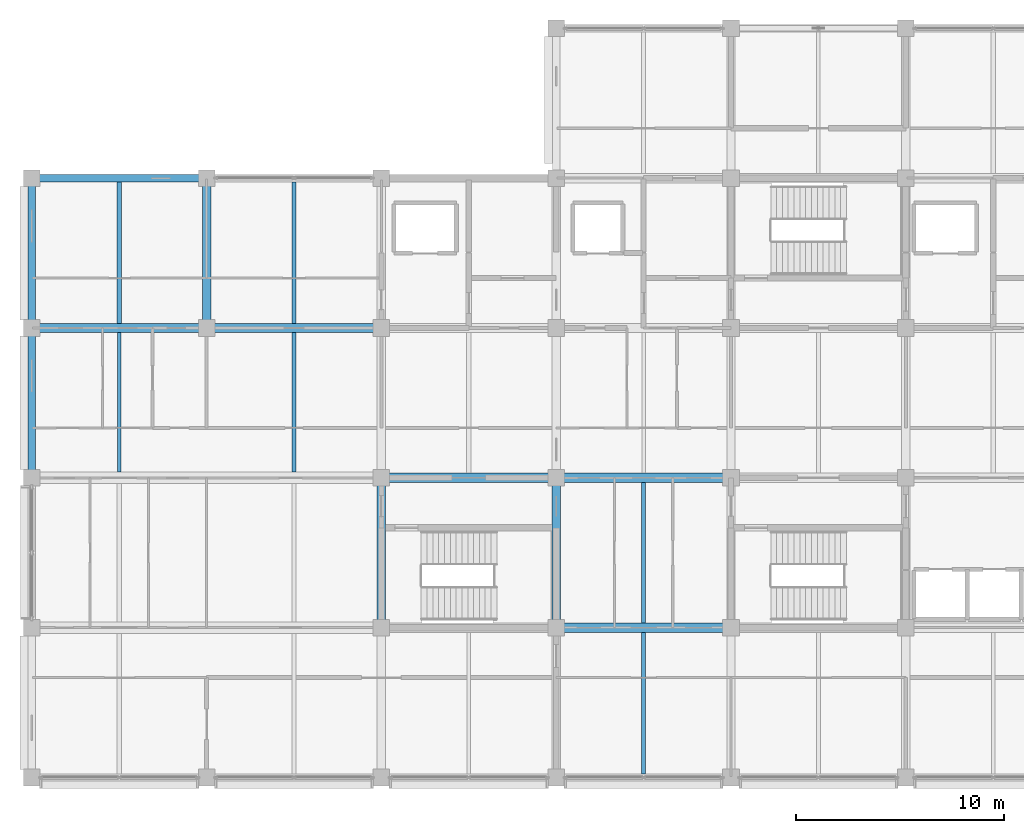
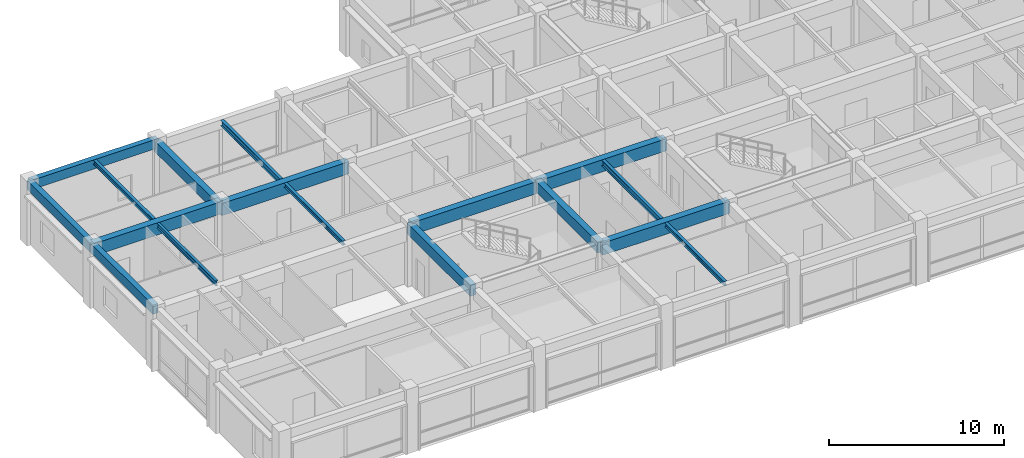
# One storey, part 3 of 30: 17 beams.
"""IFC4 building model written with IfcOpenShell, lengths in metres."""

from ifc_helpers import new_model, si_unit, direction, frame, origin, origin_2d, place, context, subcontext, project, spatial, rectangle, i_section, extrude, material, material_profile, profile_set, type_object, element, save


model = new_model("IFC4")

# Units and contexts
model_context = context("Model", 3, precision=1e-05, world=origin(), true_north=direction((0.0, 1.0)))
body_context = subcontext(model_context, "Body", "Model", "MODEL_VIEW")
ifc_project = project(units=[si_unit("LENGTHUNIT", "METRE"), si_unit("AREAUNIT", "SQUARE_METRE"), si_unit("VOLUMEUNIT", "CUBIC_METRE"), si_unit("PLANEANGLEUNIT", "RADIAN"), si_unit("MASSUNIT", "GRAM", prefix="KILO")], contexts=[model_context])

# Site, building, storey
site_placement = place(None, origin())
site = spatial("IfcSite", under=ifc_project, at=site_placement, CompositionType="ELEMENT")
building_placement = place(site_placement, origin())
building = spatial("IfcBuilding", under=site, at=building_placement, Name="Chengyuan Square Courthouse", CompositionType="ELEMENT")
storey_placement = place(building_placement, frame((0.0, 0.0, 30.60009765625)))
storey = spatial("IfcBuildingStorey", under=building, at=storey_placement, Name="L07", CompositionType="ELEMENT", Elevation=30.60009765625)

# Beams
ifc_material_1 = material(Name="Concrete C40", Category="concrete")
ifc_material_profile_1 = material_profile(ifc_material_1, rectangle(XDim=0.449951171875, YDim=0.85009765625, at=origin_2d()), Name="RC-BM-450x850")
ifc_profile_set_1 = profile_set([ifc_material_profile_1], Name="Concrete C40")
beam_type_1 = type_object("IfcBeamType", Name="BM-01", PredefinedType="USERDEFINED", material=ifc_profile_set_1)
beam_1_placement = place(storey_placement, frame((50.39990234375, 86.39990234375, 3.81494140625), z_axis=(1.0, 0.0, 0.0), x_axis=(0.0, 1.0, 0.0)))
element("IfcBeam", 1, at=beam_1_placement, inside=storey, type_object=beam_type_1, Name="Girder BM-L07-3593", ObjectType="GIRDER", PredefinedType="USERDEFINED", context=body_context, shape_type="SweptSolid", body=[
    extrude(rectangle(XDim=0.449951171875, YDim=0.85009765625, at=origin_2d()), origin(), (0.0, 0.0, 1.0), 8.400146484375),
])
beam_2_placement = place(storey_placement, frame((42.0, 93.60009765625, 3.81494140625), z_axis=(1.0, 0.0, 0.0), x_axis=(0.0, 1.0, 0.0)))
element("IfcBeam", 2, at=beam_2_placement, inside=storey, type_object=beam_type_1, Name="Girder BM-L07-3604", ObjectType="GIRDER", PredefinedType="USERDEFINED", context=body_context, shape_type="SweptSolid", body=[
    extrude(rectangle(XDim=0.449951171875, YDim=0.85009765625, at=origin_2d()), origin(), (0.0, 0.0, 1.0), 8.39990234375),
])
for number, where, z_axis, x_axis, name in (
    (3, (50.39990234375, 93.60009765625, 3.81494140625), (1.0, 0.0, 0.0), (0.0, 1.0, 0.0), "Girder BM-L07-3605"),
    (4, (25.199951171875, 100.800048828125, 3.875), (1.0, 0.0, 0.0), (0.0, 1.0, 0.0), "Girder BM-L07-3615"),
):
    element("IfcBeam", number, at=place(storey_placement, frame(where, z_axis=z_axis, x_axis=x_axis)), inside=storey, type_object=beam_type_1, Name=name, ObjectType="GIRDER", PredefinedType="USERDEFINED", context=body_context, shape_type="SweptSolid", body=[
        extrude(rectangle(XDim=0.449951171875, YDim=0.85009765625, at=origin_2d()), origin(), (0.0, 0.0, 1.0), 8.400146484375),
    ])
beam_3_placement = place(storey_placement, frame((33.60009765625, 100.800048828125, 3.724853515625), z_axis=(1.0, 0.0, 0.0), x_axis=(0.0, 1.0, 0.0)))
element("IfcBeam", 5, at=beam_3_placement, inside=storey, type_object=beam_type_1, Name="Girder BM-L07-3616", ObjectType="GIRDER", PredefinedType="USERDEFINED", context=body_context, shape_type="SweptSolid", body=[
    extrude(rectangle(XDim=0.449951171875, YDim=0.85009765625, at=origin_2d()), origin(), (0.0, 0.0, 1.0), 8.39990234375),
])
ifc_material_profile_2 = material_profile(ifc_material_1, rectangle(XDim=0.39990234375, YDim=0.75, at=origin_2d()), Name="RC-BM-400x750")
ifc_profile_set_2 = profile_set([ifc_material_profile_2], Name="Concrete C40")
beam_type_2 = type_object("IfcBeamType", Name="BM-02", PredefinedType="USERDEFINED", material=ifc_profile_set_2)
beam_4_placement = place(storey_placement, frame((33.60009765625, 100.800048828125, 3.77490234375), z_axis=(0.0, 1.0, 0.0), x_axis=(-1.0, 0.0, 0.0)))
element("IfcBeam", 6, at=beam_4_placement, inside=storey, type_object=beam_type_2, Name="Girder BM-L07-3655", ObjectType="GIRDER", PredefinedType="USERDEFINED", context=body_context, shape_type="SweptSolid", body=[
    extrude(rectangle(XDim=0.39990234375, YDim=0.75, at=origin_2d()), origin(), (0.0, 0.0, 1.0), 7.199951171875),
])
for number, where, z_axis, x_axis, name in (
    (7, (42.0, 86.39990234375, 3.77490234375), (0.0, 1.0, 0.0), (-1.0, 0.0, 0.0), "Girder BM-L07-3657"),
    (8, (50.39990234375, 86.39990234375, 3.864990234375), (0.0, 1.0, 0.0), (-1.0, 0.0, 0.0), "Girder BM-L07-3661"),
):
    element("IfcBeam", number, at=place(storey_placement, frame(where, z_axis=z_axis, x_axis=x_axis)), inside=storey, type_object=beam_type_2, Name=name, ObjectType="GIRDER", PredefinedType="USERDEFINED", context=body_context, shape_type="SweptSolid", body=[
        extrude(rectangle(XDim=0.39990234375, YDim=0.75, at=origin_2d()), origin(), (0.0, 0.0, 1.0), 7.2001953125),
    ])
ifc_material_profile_3 = material_profile(ifc_material_1, rectangle(XDim=0.35009765625, YDim=0.64990234375, at=origin_2d()), Name="RC-BM-350x650")
ifc_profile_set_3 = profile_set([ifc_material_profile_3], Name="Concrete C40")
beam_type_3 = type_object("IfcBeamType", Name="BM-03", PredefinedType="SPANDREL", material=ifc_profile_set_3)
beam_5_placement = place(storey_placement, frame((25.199951171875, 108.0, 3.974853515625), z_axis=(1.0, 0.0, 0.0), x_axis=(0.0, 1.0, 0.0)))
element("IfcBeam", 9, at=beam_5_placement, inside=storey, type_object=beam_type_3, Name="Girder BM-L07-3629", PredefinedType="SPANDREL", context=body_context, shape_type="SweptSolid", body=[
    extrude(rectangle(XDim=0.35009765625, YDim=0.64990234375, at=origin_2d()), origin(), (0.0, 0.0, 1.0), 8.400146484375),
])
for number, where, z_axis, x_axis, name in (
    (10, (25.199951171875, 93.60009765625, 3.974853515625), (0.0, 1.0, 0.0), (-1.0, 0.0, 0.0), "Girder BM-L07-3653"),
    (11, (25.199951171875, 100.800048828125, 3.974853515625), (0.0, 1.0, 0.0), (-1.0, 0.0, 0.0), "Girder BM-L07-3654"),
):
    element("IfcBeam", number, at=place(storey_placement, frame(where, z_axis=z_axis, x_axis=x_axis)), inside=storey, type_object=beam_type_3, Name=name, PredefinedType="SPANDREL", context=body_context, shape_type="SweptSolid", body=[
        extrude(rectangle(XDim=0.35009765625, YDim=0.64990234375, at=origin_2d()), origin(), (0.0, 0.0, 1.0), 7.199951171875),
    ])
ifc_material_2 = material(Name="Steel Q355B", Category="steel")
ifc_material_profile_4 = material_profile(ifc_material_2, i_section(OverallWidth=0.199951171875, OverallDepth=0.39990234375, WebThickness=0.008056640625, FlangeThickness=0.012939453125, at=origin_2d()), Name="HN 400x200x8x13")
ifc_profile_set_4 = profile_set([ifc_material_profile_4], Name="Steel Q355B")
beam_type_4 = type_object("IfcBeamType", Name="BM-07", PredefinedType="BEAM", material=ifc_profile_set_4)
beam_6_placement = place(storey_placement, frame((37.800048828125, 101.02490234375, 3.949951171875), z_axis=(0.0, 1.0, 0.0), x_axis=(-1.0, 0.0, 0.0)))
element("IfcBeam", 12, at=beam_6_placement, inside=storey, type_object=beam_type_4, Name="Secondary Floor Beam SBM-L07-3721", PredefinedType="BEAM", context=body_context, shape_type="SweptSolid", body=[
    extrude(i_section(OverallWidth=0.199951171875, OverallDepth=0.39990234375, WebThickness=0.008056640625, FlangeThickness=0.012939453125, at=origin_2d()), origin(), (0.0, 0.0, 1.0), 6.800048828125),
])
beam_7_placement = place(storey_placement, frame((54.60009765625, 86.625, 4.039794921875), z_axis=(0.0, 1.0, 0.0), x_axis=(-1.0, 0.0, 0.0)))
element("IfcBeam", 13, at=beam_7_placement, inside=storey, type_object=beam_type_4, Name="Secondary Floor Beam SBM-L07-3726", PredefinedType="BEAM", context=body_context, shape_type="SweptSolid", body=[
    extrude(i_section(OverallWidth=0.199951171875, OverallDepth=0.39990234375, WebThickness=0.008056640625, FlangeThickness=0.012939453125, at=origin_2d()), origin(), (0.0, 0.0, 1.0), 6.75),
])
ifc_material_profile_5 = material_profile(ifc_material_2, i_section(OverallWidth=0.175048828125, OverallDepth=0.35009765625, WebThickness=0.007080078125, FlangeThickness=0.010986328125, at=origin_2d()), Name="HN 350x175x7x11")
ifc_profile_set_5 = profile_set([ifc_material_profile_5], Name="Steel Q355B")
beam_type_5 = type_object("IfcBeamType", Name="BM-08", PredefinedType="BEAM", material=ifc_profile_set_5)
beam_8_placement = place(storey_placement, frame((29.39990234375, 93.875, 4.125), z_axis=(0.0, 1.0, 0.0), x_axis=(-1.0, 0.0, 0.0)))
element("IfcBeam", 14, at=beam_8_placement, inside=storey, type_object=beam_type_5, Name="Secondary Floor Beam SBM-L07-3716", PredefinedType="BEAM", context=body_context, shape_type="SweptSolid", body=[
    extrude(i_section(OverallWidth=0.175048828125, OverallDepth=0.35009765625, WebThickness=0.007080078125, FlangeThickness=0.010986328125, at=origin_2d()), origin(), (0.0, 0.0, 1.0), 6.699951171875),
])
ifc_material_profile_6 = material_profile(ifc_material_2, i_section(OverallWidth=0.199951171875, OverallDepth=0.300048828125, WebThickness=0.008056640625, FlangeThickness=0.011962890625, at=origin_2d()), Name="HM 300x200x8x12")
ifc_profile_set_6 = profile_set([ifc_material_profile_6], Name="Steel Q355B")
beam_type_6 = type_object("IfcBeamType", Name="BM-09", PredefinedType="BEAM", material=ifc_profile_set_6)
beam_9_placement = place(storey_placement, frame((29.39990234375, 101.02490234375, 4.14990234375), z_axis=(0.0, 1.0, 0.0), x_axis=(-1.0, 0.0, 0.0)))
element("IfcBeam", 15, at=beam_9_placement, inside=storey, type_object=beam_type_6, Name="Secondary Floor Beam SBM-L07-3717", PredefinedType="BEAM", context=body_context, shape_type="SweptSolid", body=[
    extrude(i_section(OverallWidth=0.199951171875, OverallDepth=0.300048828125, WebThickness=0.008056640625, FlangeThickness=0.011962890625, at=origin_2d()), origin(), (0.0, 0.0, 1.0), 6.800048828125),
])
beam_10_placement = place(storey_placement, frame((37.800048828125, 93.875, 4.0), z_axis=(0.0, 1.0, 0.0), x_axis=(-1.0, 0.0, 0.0)))
element("IfcBeam", 16, at=beam_10_placement, inside=storey, type_object=beam_type_6, Name="Secondary Floor Beam SBM-L07-3720", PredefinedType="BEAM", context=body_context, shape_type="SweptSolid", body=[
    extrude(i_section(OverallWidth=0.199951171875, OverallDepth=0.300048828125, WebThickness=0.008056640625, FlangeThickness=0.011962890625, at=origin_2d()), origin(), (0.0, 0.0, 1.0), 6.699951171875),
])
beam_11_placement = place(storey_placement, frame((54.60009765625, 79.375, 4.08984375), z_axis=(0.0, 1.0, 0.0), x_axis=(-1.0, 0.0, 0.0)))
element("IfcBeam", 17, at=beam_11_placement, inside=storey, type_object=beam_type_6, Name="Secondary Floor Beam SBM-L07-3725", PredefinedType="BEAM", context=body_context, shape_type="SweptSolid", body=[
    extrude(i_section(OverallWidth=0.199951171875, OverallDepth=0.300048828125, WebThickness=0.008056640625, FlangeThickness=0.011962890625, at=origin_2d()), origin(), (0.0, 0.0, 1.0), 6.800048828125),
])

save(model, "model.ifc")
